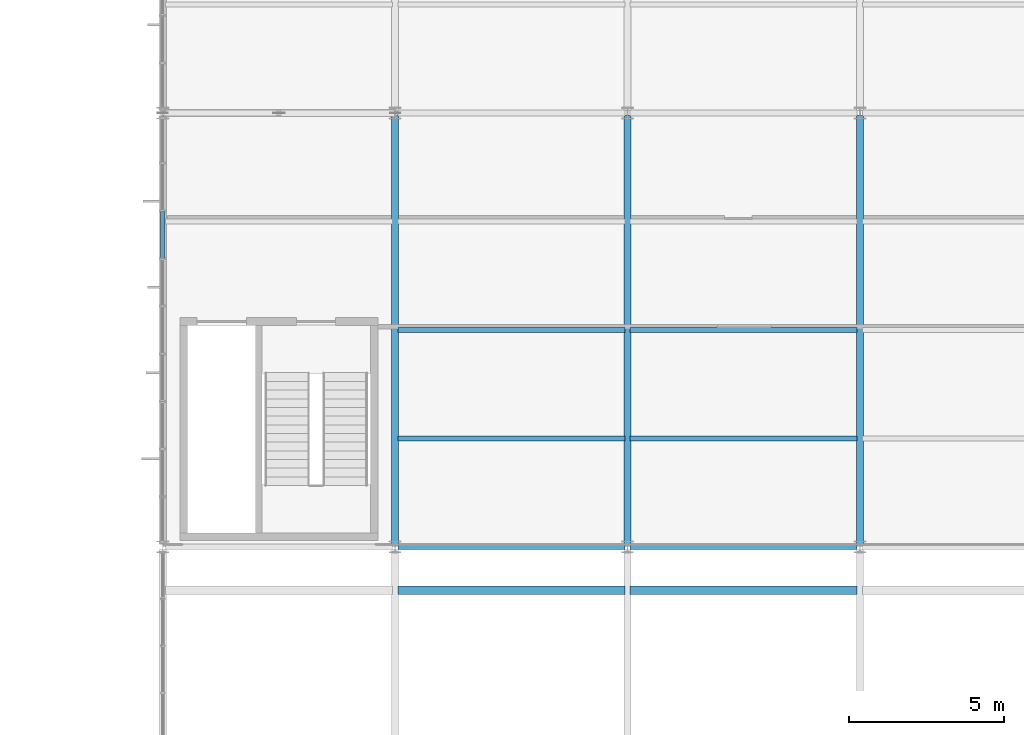
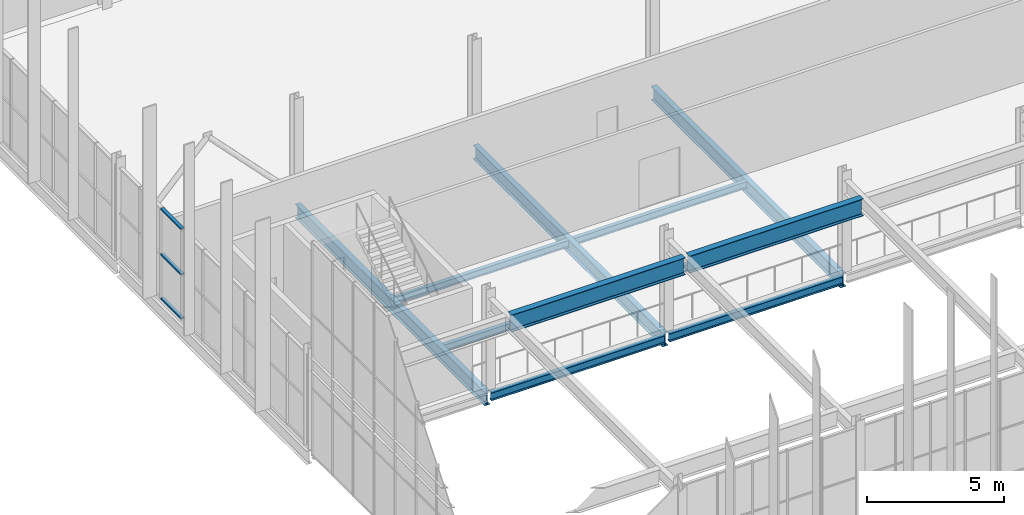
# One storey, part 76 of 324: 11 beams, 3 members, 1 element without a shape of its own.
"""IFC4 building model written with IfcOpenShell, lengths in metres."""

from ifc_helpers import new_model, si_unit, direction, frame, origin, origin_2d, place, context, subcontext, project, spatial, hollow_rectangle, i_section, extrude, material, layer, layer_set, material_profile, profile_set, type_object, element, aggregate, save


model = new_model("IFC4")

# Units and contexts
model_context = context("Model", 3, precision=1e-05, world=origin(), true_north=direction((0.0, 1.0)))
body_context = subcontext(model_context, "Body", "Model", "MODEL_VIEW")
ifc_project = project(units=[si_unit("LENGTHUNIT", "METRE"), si_unit("AREAUNIT", "SQUARE_METRE"), si_unit("VOLUMEUNIT", "CUBIC_METRE"), si_unit("PLANEANGLEUNIT", "RADIAN"), si_unit("MASSUNIT", "GRAM", prefix="KILO")], contexts=[model_context])

# Site, building, storey
site_placement = place(None, origin())
site = spatial("IfcSite", under=ifc_project, at=site_placement, CompositionType="ELEMENT")
building_placement = place(site_placement, origin())
building = spatial("IfcBuilding", under=site, at=building_placement, Name="Solvenia Promenade Tram Depot", CompositionType="ELEMENT")
storey_placement = place(building_placement, frame((0.0, 0.0, 4.5)))
storey = spatial("IfcBuildingStorey", under=building, at=storey_placement, Name="L01", CompositionType="ELEMENT", Elevation=4.5)

# Curtain wall, members
ifc_material_1 = material(Name="Anodized aluminium AW-6063 T6", Category="aluminium")
ifc_layer = layer(ifc_material_1, 0.14990234375, Name="Anodized aluminium AW-6063 T6", Category="aluminium")
ifc_layer_set = layer_set([ifc_layer], Name="Anodized aluminium AW-6063 T6")
curtain_wall_type = type_object("IfcCurtainWallType", Name="CW-Court-1500", PredefinedType="NOTDEFINED", material=ifc_layer_set)
curtain_wall_placement = place(storey_placement, origin())
curtain_wall = element("IfcCurtainWall", 1, at=curtain_wall_placement, inside=storey, type_object=curtain_wall_type, Name="Curtain Wall CW-V2W-L1-1", PredefinedType="NOTDEFINED")
ifc_material_profile_1 = material_profile(ifc_material_1, hollow_rectangle(XDim=0.139892578125, YDim=0.06494140625, WallThickness=0.00390625, at=origin_2d()), Name="ALU-T2", Category="aluminium")
ifc_profile_set_1 = profile_set([ifc_material_profile_1], Name="Anodized aluminium AW-6063 T6")
member_type = type_object("IfcMemberType", Name="CWT-Transom-2", PredefinedType="USERDEFINED", material=ifc_profile_set_1)
member_1_placement = place(storey_placement, frame((105.0, 47.331787109375, 0.032470703125), z_axis=(0.0, 1.0, 0.0), x_axis=(-1.0, 0.0, 0.0)))
member_1 = element("IfcMember", 2, at=member_1_placement, type_object=member_type, Name="CW-5 transom 7.1", ObjectType="TRANSOM", PredefinedType="USERDEFINED", context=body_context, shape_type="SweptSolid", body=[
    extrude(hollow_rectangle(XDim=0.139892578125, YDim=0.06494140625, WallThickness=0.00390625, at=origin_2d()), origin(), (0.0, 0.0, 1.0), 1.487548828125),
])
member_2_placement = place(storey_placement, frame((105.0, 47.331787109375, 2.0), z_axis=(0.0, 1.0, 0.0), x_axis=(-1.0, 0.0, 0.0)))
member_2 = element("IfcMember", 3, at=member_2_placement, type_object=member_type, Name="CW-5 transom 7.2", ObjectType="TRANSOM", PredefinedType="USERDEFINED", context=body_context, shape_type="SweptSolid", body=[
    extrude(hollow_rectangle(XDim=0.139892578125, YDim=0.06494140625, WallThickness=0.00390625, at=origin_2d()), origin(), (0.0, 0.0, 1.0), 1.487548828125),
])
member_3_placement = place(storey_placement, frame((105.0, 47.331787109375, 4.017578125), z_axis=(0.0, 1.0, 0.0), x_axis=(-1.0, 0.0, 0.0)))
member_3 = element("IfcMember", 4, at=member_3_placement, type_object=member_type, Name="CW-5 transom 7.3", ObjectType="TRANSOM", PredefinedType="USERDEFINED", context=body_context, shape_type="SweptSolid", body=[
    extrude(hollow_rectangle(XDim=0.139892578125, YDim=0.06494140625, WallThickness=0.00390625, at=origin_2d()), origin(), (0.0, 0.0, 1.0), 1.487548828125),
])
aggregate(curtain_wall, [member_1, member_2, member_3])

# Beams
ifc_material_2 = material(Name="Structural steel ASTM A992 Gr. 50", Category="steel")
ifc_material_profile_2 = material_profile(ifc_material_2, i_section(OverallWidth=0.22900390625, OverallDepth=0.612060546875, WebThickness=0.011962890625, FlangeThickness=0.01953125, FilletRadius=0.014892578125, at=origin_2d()), Name="W610x125", Category="steel")
ifc_profile_set_2 = profile_set([ifc_material_profile_2], Name="Structural steel ASTM A992 Gr. 50")
beam_type_1 = type_object("IfcBeamType", Name="Gird-W610x125", PredefinedType="BEAM", material=ifc_profile_set_2)
for number, where, z_axis, x_axis, name in (
    (5, (112.5, 38.0849609375, -0.5458984375), (0.0, 1.0, 0.0), (-1.0, 0.0, 0.0), "Transverse Girder BM-L01-0143"),
    (6, (120.0, 38.0849609375, -0.5458984375), (0.0, 1.0, 0.0), (-1.0, 0.0, 0.0), "Transverse Girder BM-L01-0145"),
    (7, (127.5, 38.0849609375, -0.5458984375), (0.0, 1.0, 0.0), (-1.0, 0.0, 0.0), "Transverse Girder BM-L01-0147"),
):
    element("IfcBeam", number, at=place(storey_placement, frame(where, z_axis=z_axis, x_axis=x_axis)), inside=storey, type_object=beam_type_1, Name=name, PredefinedType="BEAM", context=body_context, shape_type="SweptSolid", body=[
        extrude(i_section(OverallWidth=0.22900390625, OverallDepth=0.612060546875, WebThickness=0.011962890625, FlangeThickness=0.01953125, FilletRadius=0.014892578125, at=origin_2d()), origin(), (0.0, 0.0, 1.0), 13.830078125),
    ])
ifc_material_profile_3 = material_profile(ifc_material_2, i_section(OverallWidth=0.26708984375, OverallDepth=0.761962890625, WebThickness=0.014404296875, FlangeThickness=0.021484375, FilletRadius=0.01806640625, at=origin_2d()), Name="W760x173", Category="steel")
ifc_profile_set_3 = profile_set([ifc_material_profile_3], Name="Structural steel ASTM A992 Gr. 50")
beam_type_2 = type_object("IfcBeamType", Name="Gird-W760x173", PredefinedType="BEAM", material=ifc_profile_set_3)
for number, where, z_axis, x_axis, name in (
    (8, (112.5849609375, 36.60009765625, 3.718994140625), (1.0, 0.0, 0.0), (0.0, 1.0, 0.0), "Bridge Crane Runway Girder BM-L01-0926"),
    (9, (120.0849609375, 36.60009765625, 3.718994140625), (1.0, 0.0, 0.0), (0.0, 1.0, 0.0), "Bridge Crane Runway Girder BM-L01-0927"),
):
    element("IfcBeam", number, at=place(storey_placement, frame(where, z_axis=z_axis, x_axis=x_axis)), inside=storey, type_object=beam_type_2, Name=name, PredefinedType="BEAM", context=body_context, shape_type="SweptSolid", body=[
        extrude(i_section(OverallWidth=0.26708984375, OverallDepth=0.761962890625, WebThickness=0.014404296875, FlangeThickness=0.021484375, FilletRadius=0.01806640625, at=origin_2d()), origin(), (0.0, 0.0, 1.0), 7.330078125),
    ])
ifc_material_profile_4 = material_profile(ifc_material_2, i_section(OverallWidth=0.166015625, OverallDepth=0.31298828125, WebThickness=0.006591796875, FlangeThickness=0.01123046875, FilletRadius=0.010009765625, at=origin_2d()), Name="W310x45", Category="steel")
ifc_profile_set_4 = profile_set([ifc_material_profile_4], Name="Structural steel ASTM A992 Gr. 50")
beam_type_3 = type_object("IfcBeamType", Name="Joist-W310x45", PredefinedType="JOIST", material=ifc_profile_set_4)
for number, where, z_axis, x_axis, name in (
    (10, (112.5849609375, 41.5, -0.396484375), (1.0, 0.0, 0.0), (0.0, 1.0, 0.0), "Secondary Floor Joist BM-L01-0165"),
    (11, (112.5849609375, 45.0, -0.396484375), (1.0, 0.0, 0.0), (0.0, 1.0, 0.0), "Secondary Floor Joist BM-L01-0166"),
    (12, (120.0849609375, 41.5, -0.396484375), (1.0, 0.0, 0.0), (0.0, 1.0, 0.0), "Secondary Floor Joist BM-L01-0171"),
    (13, (120.0849609375, 45.0, -0.396484375), (1.0, 0.0, 0.0), (0.0, 1.0, 0.0), "Secondary Floor Joist BM-L01-0172"),
):
    element("IfcBeam", number, at=place(storey_placement, frame(where, z_axis=z_axis, x_axis=x_axis)), inside=storey, type_object=beam_type_3, Name=name, PredefinedType="JOIST", context=body_context, shape_type="SweptSolid", body=[
        extrude(i_section(OverallWidth=0.166015625, OverallDepth=0.31298828125, WebThickness=0.006591796875, FlangeThickness=0.01123046875, FilletRadius=0.010009765625, at=origin_2d()), origin(), (0.0, 0.0, 1.0), 7.330078125),
    ])
ifc_material_profile_5 = material_profile(ifc_material_2, i_section(OverallWidth=0.172119140625, OverallDepth=0.35791015625, WebThickness=0.0078125, FlangeThickness=0.01318359375, FilletRadius=0.010986328125, at=origin_2d()), Name="W360x57", Category="steel")
ifc_profile_set_5 = profile_set([ifc_material_profile_5], Name="Structural steel ASTM A992 Gr. 50")
beam_type_4 = type_object("IfcBeamType", Name="Spandrel-W360x57", PredefinedType="SPANDREL", material=ifc_profile_set_5)
for number, where, z_axis, x_axis, name in (
    (14, (112.5849609375, 38.0, -0.4189453125), (1.0, 0.0, 0.0), (0.0, 1.0, 0.0), "Perimeter Spandrel BM-L01-0121"),
    (15, (120.0849609375, 38.0, -0.4189453125), (1.0, 0.0, 0.0), (0.0, 1.0, 0.0), "Perimeter Spandrel BM-L01-0122"),
):
    element("IfcBeam", number, at=place(storey_placement, frame(where, z_axis=z_axis, x_axis=x_axis)), inside=storey, type_object=beam_type_4, Name=name, PredefinedType="SPANDREL", context=body_context, shape_type="SweptSolid", body=[
        extrude(i_section(OverallWidth=0.172119140625, OverallDepth=0.35791015625, WebThickness=0.0078125, FlangeThickness=0.01318359375, FilletRadius=0.010986328125, at=origin_2d()), origin(), (0.0, 0.0, 1.0), 7.330078125),
    ])

save(model, "model.ifc")
